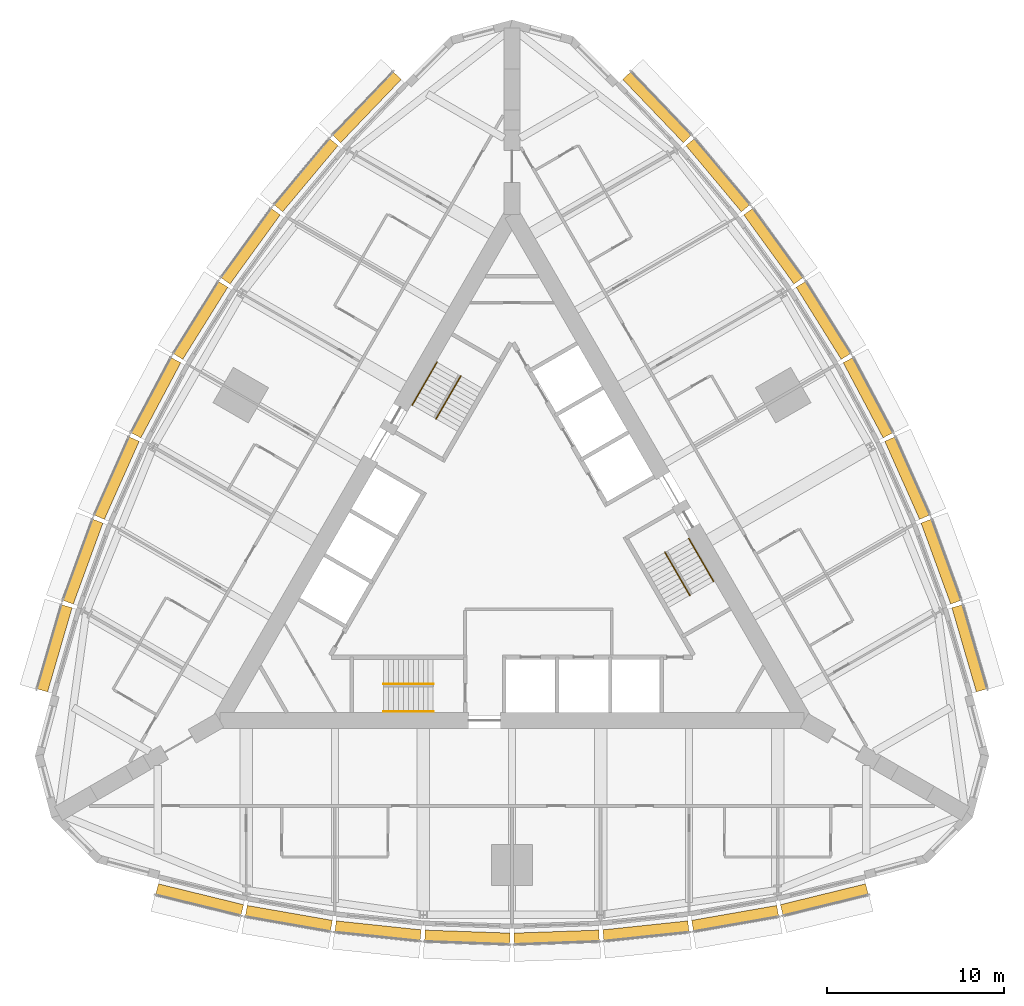
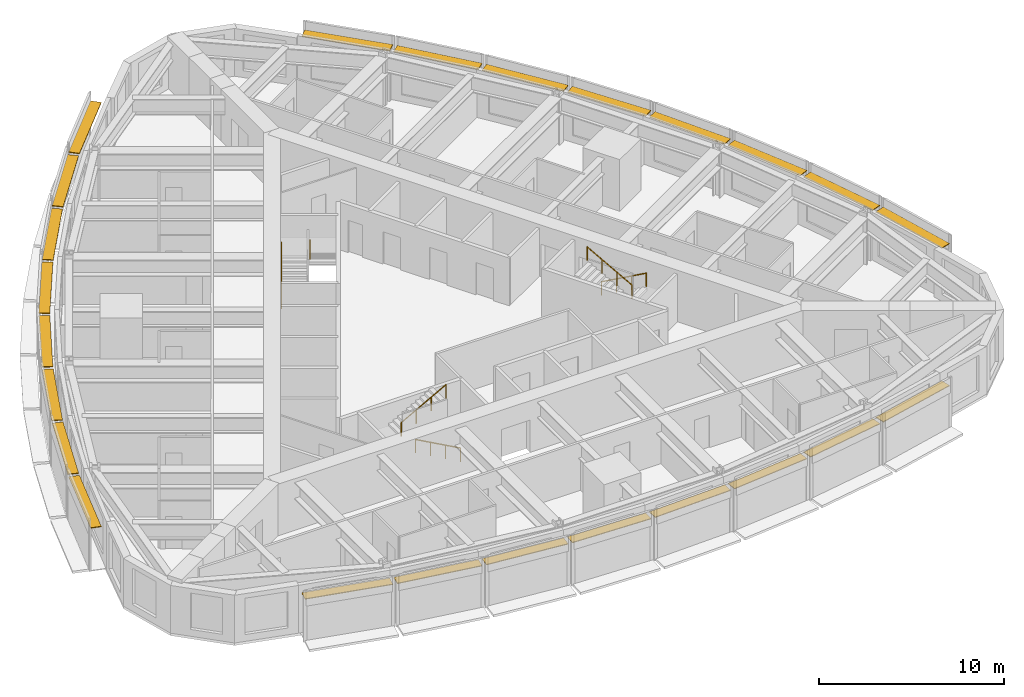
# One storey, part 15 of 15: 24 shading devices, 6 railings.
"""IFC4 building model written with IfcOpenShell, lengths in metres."""

from ifc_helpers import new_model, si_unit, direction, frame, origin, origin_2d, place, context, subcontext, project, spatial, rectangle, circle, extrude, material, type_object, element, save


model = new_model("IFC4")

# Units and contexts
model_context = context("Model", 3, precision=1e-05, world=origin(), true_north=direction((0.0, 1.0)))
body_context = subcontext(model_context, "Body", "Model", "MODEL_VIEW")
ifc_project = project(units=[si_unit("LENGTHUNIT", "METRE"), si_unit("AREAUNIT", "SQUARE_METRE"), si_unit("VOLUMEUNIT", "CUBIC_METRE"), si_unit("PLANEANGLEUNIT", "RADIAN"), si_unit("MASSUNIT", "GRAM", prefix="KILO")], contexts=[model_context])

# Site, building, storey
site_placement = place(None, origin())
site = spatial("IfcSite", under=ifc_project, at=site_placement, CompositionType="ELEMENT")
building_placement = place(site_placement, origin())
building = spatial("IfcBuilding", under=site, at=building_placement, Name="Trikona Tower", CompositionType="ELEMENT")
storey_placement = place(building_placement, frame((0.0, 0.0, 186.10009765625)))
storey = spatial("IfcBuildingStorey", under=building, at=storey_placement, Name="L50", CompositionType="ELEMENT", Elevation=186.10009765625)

# Shading devices
ifc_material_1 = material(Name="Aluminium louvre blade, pale anodised", Category="aluminium")
shading_device_type = type_object("IfcShadingDeviceType", Name="Cavity louvre 600", PredefinedType="USERDEFINED", material=ifc_material_1)
shading_device_1_placement = place(storey_placement, frame((-17.63330078125, -19.631591796875, 2.77490234375), z_axis=(0.0, 0.0, 1.0), x_axis=(0.971274411564, -0.237962218516, 0.0)))
element("IfcShadingDevice", 1, at=shading_device_1_placement, inside=storey, type_object=shading_device_type, Name="Cavity louvre L50-00", ObjectType="LOUVRE", PredefinedType="USERDEFINED", context=body_context, shape_type="SweptSolid", body=[
    extrude(rectangle(XDim=4.947998046875, YDim=0.60009765625, at=origin_2d()), origin(), (0.0, 0.0, 1.0), 0.050048828125),
])
shading_device_2_placement = place(storey_placement, frame((-12.596435546875, -20.689208984375, 2.77490234375), z_axis=(0.0, 0.0, 1.0), x_axis=(0.985030604067, -0.172379549401, 0.0)))
element("IfcShadingDevice", 2, at=shading_device_2_placement, inside=storey, type_object=shading_device_type, Name="Cavity louvre L50-01", ObjectType="LOUVRE", PredefinedType="USERDEFINED", context=body_context, shape_type="SweptSolid", body=[
    extrude(rectangle(XDim=4.8759765625, YDim=0.60009765625, at=origin_2d()), origin(), (0.0, 0.0, 1.0), 0.050048828125),
])
shading_device_3_placement = place(storey_placement, frame((-7.55859375, -21.39453125, 2.77490234375), z_axis=(0.0, 0.0, 1.0), x_axis=(0.994532653854, -0.104426052392, 0.0)))
element("IfcShadingDevice", 3, at=shading_device_3_placement, inside=storey, type_object=shading_device_type, Name="Cavity louvre L50-02", ObjectType="LOUVRE", PredefinedType="USERDEFINED", context=body_context, shape_type="SweptSolid", body=[
    extrude(rectangle(XDim=4.827392578125, YDim=0.60009765625, at=origin_2d()), origin(), (0.0, 0.0, 1.0), 0.050048828125),
])
for number, where, z_axis, x_axis, name in (
    (4, (-2.51953125, -21.747314453125, 2.77490234375), (0.0, 0.0, 1.0), (0.999388082937, -0.034977988567, 0.0), "Cavity louvre L50-03"),
    (5, (2.51953125, -21.747314453125, 2.77490234375), (0.0, 0.0, 1.0), (0.999388082937, 0.034977988567, 0.0), "Cavity louvre L50-04"),
):
    element("IfcShadingDevice", number, at=place(storey_placement, frame(where, z_axis=z_axis, x_axis=x_axis)), inside=storey, type_object=shading_device_type, Name=name, ObjectType="LOUVRE", PredefinedType="USERDEFINED", context=body_context, shape_type="SweptSolid", body=[
        extrude(rectangle(XDim=4.802978515625, YDim=0.60009765625, at=origin_2d()), origin(), (0.0, 0.0, 1.0), 0.050048828125),
    ])
shading_device_4_placement = place(storey_placement, frame((7.55859375, -21.39453125, 2.77490234375), z_axis=(0.0, 0.0, 1.0), x_axis=(0.994532653854, 0.104426052392, 0.0)))
element("IfcShadingDevice", 6, at=shading_device_4_placement, inside=storey, type_object=shading_device_type, Name="Cavity louvre L50-05", ObjectType="LOUVRE", PredefinedType="USERDEFINED", context=body_context, shape_type="SweptSolid", body=[
    extrude(rectangle(XDim=4.827392578125, YDim=0.60009765625, at=origin_2d()), origin(), (0.0, 0.0, 1.0), 0.050048828125),
])
shading_device_5_placement = place(storey_placement, frame((12.596435546875, -20.689208984375, 2.77490234375), z_axis=(0.0, 0.0, 1.0), x_axis=(0.985030604067, 0.172379549401, 0.0)))
element("IfcShadingDevice", 7, at=shading_device_5_placement, inside=storey, type_object=shading_device_type, Name="Cavity louvre L50-06", ObjectType="LOUVRE", PredefinedType="USERDEFINED", context=body_context, shape_type="SweptSolid", body=[
    extrude(rectangle(XDim=4.8759765625, YDim=0.60009765625, at=origin_2d()), origin(), (0.0, 0.0, 1.0), 0.050048828125),
])
shading_device_6_placement = place(storey_placement, frame((17.63330078125, -19.631591796875, 2.77490234375), z_axis=(0.0, 0.0, 1.0), x_axis=(0.971274411564, 0.237962218516, 0.0)))
element("IfcShadingDevice", 8, at=shading_device_6_placement, inside=storey, type_object=shading_device_type, Name="Cavity louvre L50-07", ObjectType="LOUVRE", PredefinedType="USERDEFINED", context=body_context, shape_type="SweptSolid", body=[
    extrude(rectangle(XDim=4.947998046875, YDim=0.60009765625, at=origin_2d()), origin(), (0.0, 0.0, 1.0), 0.050048828125),
])
shading_device_7_placement = place(storey_placement, frame((25.818115234375, -5.455078125, 2.77490234375), z_axis=(0.0, 0.0, 1.0), x_axis=(-0.279554203664, 0.960129911634, 0.0)))
element("IfcShadingDevice", 9, at=shading_device_7_placement, inside=storey, type_object=shading_device_type, Name="Cavity louvre L50-12", ObjectType="LOUVRE", PredefinedType="USERDEFINED", context=body_context, shape_type="SweptSolid", body=[
    extrude(rectangle(XDim=4.94775390625, YDim=0.60009765625, at=origin_2d()), origin(), (0.0, 0.0, 1.0), 0.050048828125),
])
shading_device_8_placement = place(storey_placement, frame((24.2158203125, -0.564208984375, 2.77490234375), z_axis=(0.0, 0.0, 1.0), x_axis=(-0.343220397324, 0.939254895575, 0.0)))
element("IfcShadingDevice", 10, at=shading_device_8_placement, inside=storey, type_object=shading_device_type, Name="Cavity louvre L50-13", ObjectType="LOUVRE", PredefinedType="USERDEFINED", context=body_context, shape_type="SweptSolid", body=[
    extrude(rectangle(XDim=4.8759765625, YDim=0.60009765625, at=origin_2d()), origin(), (0.0, 0.0, 1.0), 0.050048828125),
])
shading_device_9_placement = place(storey_placement, frame((22.3076171875, 4.151611328125, 2.77490234375), z_axis=(0.0, 0.0, 1.0), x_axis=(-0.406843467615, 0.913497888809, 0.0)))
element("IfcShadingDevice", 11, at=shading_device_9_placement, inside=storey, type_object=shading_device_type, Name="Cavity louvre L50-14", ObjectType="LOUVRE", PredefinedType="USERDEFINED", context=body_context, shape_type="SweptSolid", body=[
    extrude(rectangle(XDim=4.827392578125, YDim=0.60009765625, at=origin_2d()), origin(), (0.0, 0.0, 1.0), 0.050048828125),
])
for number, where, z_axis, x_axis, name in (
    (12, (20.093505859375, 8.691650390625, 2.77490234375), (0.0, 0.0, 1.0), (-0.469397591494, 0.882986920118, 0.0), "Cavity louvre L50-15"),
    (13, (17.573974609375, 13.0556640625, 2.77490234375), (0.0, 0.0, 1.0), (-0.529994748414, 0.848000923734, 0.0), "Cavity louvre L50-16"),
):
    element("IfcShadingDevice", number, at=place(storey_placement, frame(where, z_axis=z_axis, x_axis=x_axis)), inside=storey, type_object=shading_device_type, Name=name, ObjectType="LOUVRE", PredefinedType="USERDEFINED", context=body_context, shape_type="SweptSolid", body=[
        extrude(rectangle(XDim=4.802978515625, YDim=0.60009765625, at=origin_2d()), origin(), (0.0, 0.0, 1.0), 0.050048828125),
    ])
shading_device_10_placement = place(storey_placement, frame((14.7490234375, 17.2431640625, 2.77490234375), z_axis=(0.0, 0.0, 1.0), x_axis=(-0.587686407834, 0.809088799853, 0.0)))
element("IfcShadingDevice", 14, at=shading_device_10_placement, inside=storey, type_object=shading_device_type, Name="Cavity louvre L50-17", ObjectType="LOUVRE", PredefinedType="USERDEFINED", context=body_context, shape_type="SweptSolid", body=[
    extrude(rectangle(XDim=4.827392578125, YDim=0.60009765625, at=origin_2d()), origin(), (0.0, 0.0, 1.0), 0.050048828125),
])
shading_device_11_placement = place(storey_placement, frame((11.619140625, 21.253662109375, 2.77490234375), z_axis=(0.0, 0.0, 1.0), x_axis=(-0.641807063101, 0.766866151133, 0.0)))
element("IfcShadingDevice", 15, at=shading_device_11_placement, inside=storey, type_object=shading_device_type, Name="Cavity louvre L50-18", ObjectType="LOUVRE", PredefinedType="USERDEFINED", context=body_context, shape_type="SweptSolid", body=[
    extrude(rectangle(XDim=4.8759765625, YDim=0.60009765625, at=origin_2d()), origin(), (0.0, 0.0, 1.0), 0.050048828125),
])
for number, where, z_axis, x_axis, name in (
    (16, (8.184814453125, 25.086669921875, 2.77490234375), (0.0, 0.0, 1.0), (-0.691723573819, 0.722162376078, 0.0), "Cavity louvre L50-19"),
    (17, (-8.184814453125, 25.086669921875, 2.77490234375), (0.0, 0.0, 1.0), (-0.691723573819, -0.722162376078, 0.0), "Cavity louvre L50-24"),
):
    element("IfcShadingDevice", number, at=place(storey_placement, frame(where, z_axis=z_axis, x_axis=x_axis)), inside=storey, type_object=shading_device_type, Name=name, ObjectType="LOUVRE", PredefinedType="USERDEFINED", context=body_context, shape_type="SweptSolid", body=[
        extrude(rectangle(XDim=4.947998046875, YDim=0.60009765625, at=origin_2d()), origin(), (0.0, 0.0, 1.0), 0.050048828125),
    ])
shading_device_12_placement = place(storey_placement, frame((-11.619140625, 21.253662109375, 2.77490234375), z_axis=(0.0, 0.0, 1.0), x_axis=(-0.641807063101, -0.766866151133, 0.0)))
element("IfcShadingDevice", 18, at=shading_device_12_placement, inside=storey, type_object=shading_device_type, Name="Cavity louvre L50-25", ObjectType="LOUVRE", PredefinedType="USERDEFINED", context=body_context, shape_type="SweptSolid", body=[
    extrude(rectangle(XDim=4.8759765625, YDim=0.60009765625, at=origin_2d()), origin(), (0.0, 0.0, 1.0), 0.050048828125),
])
shading_device_13_placement = place(storey_placement, frame((-14.7490234375, 17.2431640625, 2.77490234375), z_axis=(0.0, 0.0, 1.0), x_axis=(-0.587686407834, -0.809088799853, 0.0)))
element("IfcShadingDevice", 19, at=shading_device_13_placement, inside=storey, type_object=shading_device_type, Name="Cavity louvre L50-26", ObjectType="LOUVRE", PredefinedType="USERDEFINED", context=body_context, shape_type="SweptSolid", body=[
    extrude(rectangle(XDim=4.827392578125, YDim=0.60009765625, at=origin_2d()), origin(), (0.0, 0.0, 1.0), 0.050048828125),
])
for number, where, z_axis, x_axis, name in (
    (20, (-17.573974609375, 13.0556640625, 2.77490234375), (0.0, 0.0, 1.0), (-0.529994748414, -0.848000923734, 0.0), "Cavity louvre L50-27"),
    (21, (-20.093505859375, 8.691650390625, 2.77490234375), (0.0, 0.0, 1.0), (-0.469397591494, -0.882986920118, 0.0), "Cavity louvre L50-28"),
):
    element("IfcShadingDevice", number, at=place(storey_placement, frame(where, z_axis=z_axis, x_axis=x_axis)), inside=storey, type_object=shading_device_type, Name=name, ObjectType="LOUVRE", PredefinedType="USERDEFINED", context=body_context, shape_type="SweptSolid", body=[
        extrude(rectangle(XDim=4.802978515625, YDim=0.60009765625, at=origin_2d()), origin(), (0.0, 0.0, 1.0), 0.050048828125),
    ])
shading_device_14_placement = place(storey_placement, frame((-22.3076171875, 4.151611328125, 2.77490234375), z_axis=(0.0, 0.0, 1.0), x_axis=(-0.406843467615, -0.913497888809, 0.0)))
element("IfcShadingDevice", 22, at=shading_device_14_placement, inside=storey, type_object=shading_device_type, Name="Cavity louvre L50-29", ObjectType="LOUVRE", PredefinedType="USERDEFINED", context=body_context, shape_type="SweptSolid", body=[
    extrude(rectangle(XDim=4.827392578125, YDim=0.60009765625, at=origin_2d()), origin(), (0.0, 0.0, 1.0), 0.050048828125),
])
shading_device_15_placement = place(storey_placement, frame((-24.2158203125, -0.564208984375, 2.77490234375), z_axis=(0.0, 0.0, 1.0), x_axis=(-0.343220397324, -0.939254895575, 0.0)))
element("IfcShadingDevice", 23, at=shading_device_15_placement, inside=storey, type_object=shading_device_type, Name="Cavity louvre L50-30", ObjectType="LOUVRE", PredefinedType="USERDEFINED", context=body_context, shape_type="SweptSolid", body=[
    extrude(rectangle(XDim=4.8759765625, YDim=0.60009765625, at=origin_2d()), origin(), (0.0, 0.0, 1.0), 0.050048828125),
])
shading_device_16_placement = place(storey_placement, frame((-25.818115234375, -5.455078125, 2.77490234375), z_axis=(0.0, 0.0, 1.0), x_axis=(-0.279554203664, -0.960129911634, 0.0)))
element("IfcShadingDevice", 24, at=shading_device_16_placement, inside=storey, type_object=shading_device_type, Name="Cavity louvre L50-31", ObjectType="LOUVRE", PredefinedType="USERDEFINED", context=body_context, shape_type="SweptSolid", body=[
    extrude(rectangle(XDim=4.94775390625, YDim=0.60009765625, at=origin_2d()), origin(), (0.0, 0.0, 1.0), 0.050048828125),
])

# Railings
ifc_material_2 = material(Name="Stainless steel handrail", Category="steel")
railing_type = type_object("IfcRailingType", Name="Stair handrail", PredefinedType="HANDRAIL", material=ifc_material_2)
railing_1_placement = place(storey_placement, frame((-4.449951171875, -9.016357421875, 0.154296875)))
element("IfcRailing", 25, at=railing_1_placement, inside=storey, type_object=railing_type, Name="Stair handrail A L50 1", PredefinedType="HANDRAIL", context=body_context, shape_type="SweptSolid", body=[
    extrude(circle(Radius=0.02392578125, at=origin_2d()), frame((0.0, 0.0, 0.8759765625), z_axis=(-0.875471895205, 0.0, 0.483269035534), x_axis=(0.0, -1.0, 0.0)), (0.0, 0.0, 1.0), 3.1982421875),
    extrude(circle(Radius=0.02099609375, at=origin_2d()), origin(), (0.0, 0.0, 1.0), 0.851806640625),
    extrude(circle(Radius=0.02099609375, at=origin_2d()), frame((-0.933349609375, 0.0, 0.51513671875)), (0.0, 0.0, 1.0), 0.851806640625),
    extrude(circle(Radius=0.02099609375, at=origin_2d()), frame((-1.86669921875, 0.0, 1.030517578125)), (0.0, 0.0, 1.0), 0.851806640625),
    extrude(circle(Radius=0.02099609375, at=origin_2d()), frame((-2.800048828125, 0.0, 1.545654296875)), (0.0, 0.0, 1.0), 0.851806640625),
])
railing_2_placement = place(storey_placement, frame((-7.25, -7.46630859375, 1.8544921875)))
element("IfcRailing", 26, at=railing_2_placement, inside=storey, type_object=railing_type, Name="Stair handrail A L50 2", PredefinedType="HANDRAIL", context=body_context, shape_type="SweptSolid", body=[
    extrude(circle(Radius=0.02392578125, at=origin_2d()), frame((0.0, 0.0, 0.8759765625), z_axis=(0.875504190374, 0.0, 0.483210526207), x_axis=(0.0, 1.0, 0.0)), (0.0, 0.0, 1.0), 3.1982421875),
    extrude(circle(Radius=0.02099609375, at=origin_2d()), origin(), (0.0, 0.0, 1.0), 0.851806640625),
    extrude(circle(Radius=0.02099609375, at=origin_2d()), frame((0.933349609375, 0.0, 0.51513671875)), (0.0, 0.0, 1.0), 0.851806640625),
    extrude(circle(Radius=0.02099609375, at=origin_2d()), frame((1.86669921875, 0.0, 1.0302734375)), (0.0, 0.0, 1.0), 0.851806640625),
    extrude(circle(Radius=0.02099609375, at=origin_2d()), frame((2.800048828125, 0.0, 1.54541015625)), (0.0, 0.0, 1.0), 0.851806640625),
])
railing_3_placement = place(storey_placement, frame((9.9833984375, 0.740966796875, 0.154296875)))
element("IfcRailing", 27, at=railing_3_placement, inside=storey, type_object=railing_type, Name="Stair handrail B L50 1", PredefinedType="HANDRAIL", context=body_context, shape_type="SweptSolid", body=[
    extrude(circle(Radius=0.02392578125, at=origin_2d()), frame((0.0, 0.0, 0.8759765625), z_axis=(0.437691042731, -0.758211567396, 0.483261596012), x_axis=(0.866056369097, 0.49994636267, 0.0)), (0.0, 0.0, 1.0), 3.198486328125),
    extrude(circle(Radius=0.02099609375, at=origin_2d()), origin(), (0.0, 0.0, 1.0), 0.851806640625),
    extrude(circle(Radius=0.02099609375, at=origin_2d()), frame((0.466552734375, -0.808349609375, 0.51513671875)), (0.0, 0.0, 1.0), 0.851806640625),
    extrude(circle(Radius=0.02099609375, at=origin_2d()), frame((0.933349609375, -1.61669921875, 1.030517578125)), (0.0, 0.0, 1.0), 0.851806640625),
    extrude(circle(Radius=0.02099609375, at=origin_2d()), frame((1.39990234375, -2.425048828125, 1.545654296875)), (0.0, 0.0, 1.0), 0.851806640625),
])
railing_4_placement = place(storey_placement, frame((10.041015625, -2.458984375, 1.8544921875)))
element("IfcRailing", 28, at=railing_4_placement, inside=storey, type_object=railing_type, Name="Stair handrail B L50 2", PredefinedType="HANDRAIL", context=body_context, shape_type="SweptSolid", body=[
    extrude(circle(Radius=0.02392578125, at=origin_2d()), frame((0.0, 0.0, 0.8759765625), z_axis=(-0.437707188162, 0.758239536103, 0.483203087036), x_axis=(-0.866056369097, -0.49994636267, 0.0)), (0.0, 0.0, 1.0), 3.1982421875),
    extrude(circle(Radius=0.02099609375, at=origin_2d()), origin(), (0.0, 0.0, 1.0), 0.851806640625),
    extrude(circle(Radius=0.02099609375, at=origin_2d()), frame((-0.466552734375, 0.808349609375, 0.51513671875)), (0.0, 0.0, 1.0), 0.851806640625),
    extrude(circle(Radius=0.02099609375, at=origin_2d()), frame((-0.933349609375, 1.61669921875, 1.0302734375)), (0.0, 0.0, 1.0), 0.851806640625),
    extrude(circle(Radius=0.02099609375, at=origin_2d()), frame((-1.39990234375, 2.425048828125, 1.54541015625)), (0.0, 0.0, 1.0), 0.851806640625),
])
railing_5_placement = place(storey_placement, frame((-5.63330078125, 8.275390625, 0.154296875)))
element("IfcRailing", 29, at=railing_5_placement, inside=storey, type_object=railing_type, Name="Stair handrail C L50 1", PredefinedType="HANDRAIL", context=body_context, shape_type="SweptSolid", body=[
    extrude(circle(Radius=0.02392578125, at=origin_2d()), frame((0.0, 0.0, 0.8759765625), z_axis=(0.437716375571, 0.758179114435, 0.4832895664), x_axis=(-0.866034573852, 0.49998411664, 0.0)), (0.0, 0.0, 1.0), 3.1982421875),
    extrude(circle(Radius=0.02099609375, at=origin_2d()), origin(), (0.0, 0.0, 1.0), 0.851806640625),
    extrude(circle(Radius=0.02099609375, at=origin_2d()), frame((0.466552734375, 0.808349609375, 0.51513671875)), (0.0, 0.0, 1.0), 0.851806640625),
    extrude(circle(Radius=0.02099609375, at=origin_2d()), frame((0.933349609375, 1.616455078125, 1.030517578125)), (0.0, 0.0, 1.0), 0.851806640625),
    extrude(circle(Radius=0.02099609375, at=origin_2d()), frame((1.39990234375, 2.4248046875, 1.545654296875)), (0.0, 0.0, 1.0), 0.851806640625),
])
railing_6_placement = place(storey_placement, frame((-2.89111328125, 9.92529296875, 1.8544921875)))
element("IfcRailing", 30, at=railing_6_placement, inside=storey, type_object=railing_type, Name="Stair handrail C L50 2", PredefinedType="HANDRAIL", context=body_context, shape_type="SweptSolid", body=[
    extrude(circle(Radius=0.02392578125, at=origin_2d()), frame((0.0, 0.0, 0.8759765625), z_axis=(-0.437707188162, -0.758239536103, 0.483203087036), x_axis=(0.866056369097, -0.49994636267, 0.0)), (0.0, 0.0, 1.0), 3.1982421875),
    extrude(circle(Radius=0.02099609375, at=origin_2d()), origin(), (0.0, 0.0, 1.0), 0.851806640625),
    extrude(circle(Radius=0.02099609375, at=origin_2d()), frame((-0.466552734375, -0.808349609375, 0.51513671875)), (0.0, 0.0, 1.0), 0.851806640625),
    extrude(circle(Radius=0.02099609375, at=origin_2d()), frame((-0.933349609375, -1.61669921875, 1.0302734375)), (0.0, 0.0, 1.0), 0.851806640625),
    extrude(circle(Radius=0.02099609375, at=origin_2d()), frame((-1.39990234375, -2.425048828125, 1.54541015625)), (0.0, 0.0, 1.0), 0.851806640625),
])

save(model, "model.ifc")
